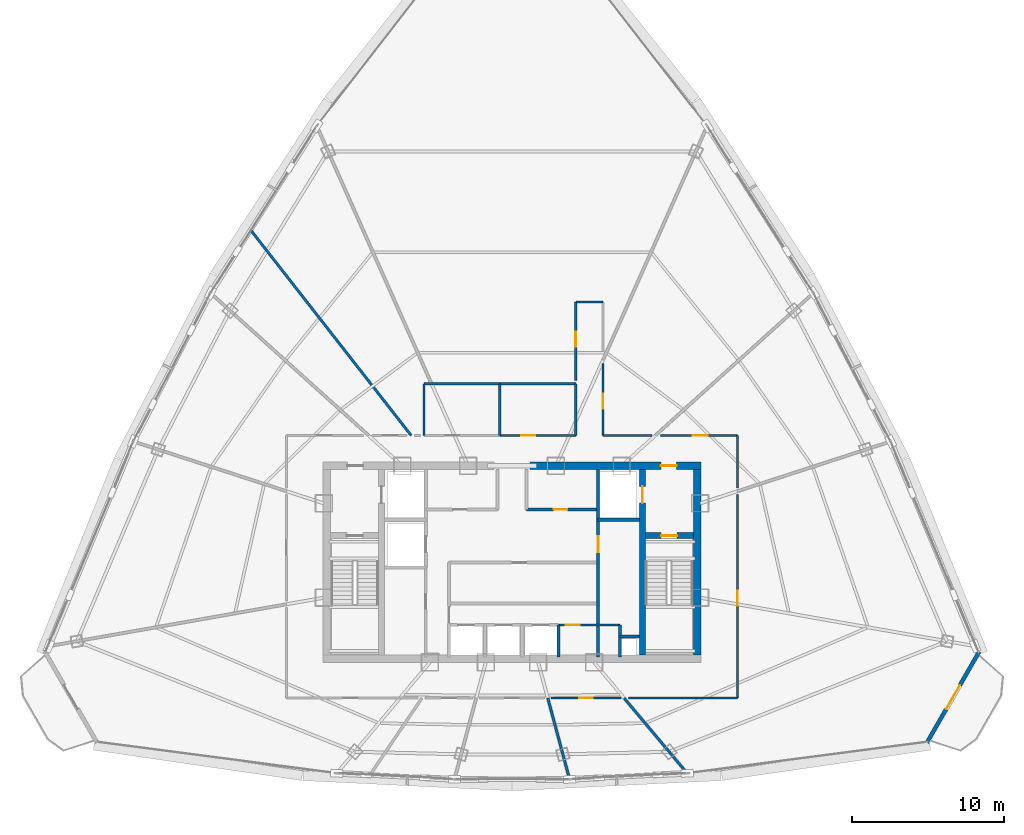
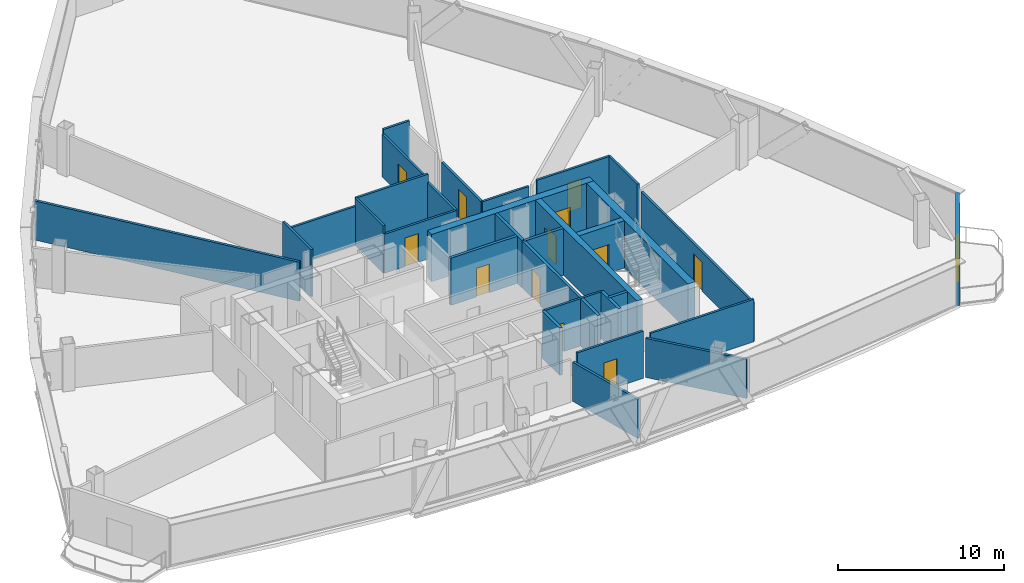
# One storey, part 31 of 35: 31 walls, 13 doors, 13 openings.
"""IFC4 building model written with IfcOpenShell, lengths in metres."""

from ifc_helpers import new_model, si_unit, direction, frame, frame_2d, origin, origin_with_axes, place, context, subcontext, project, spatial, rectangle, extrude, source, transform, mapped, material, layer, layer_set, type_object, element, fill, save


model = new_model("IFC4")

# Units and contexts
model_context = context("Model", 3, precision=1e-05, world=origin(), true_north=direction((0.0, 1.0)))
body_context = subcontext(model_context, "Body", "Model", "MODEL_VIEW")
ifc_project = project(units=[si_unit("LENGTHUNIT", "METRE"), si_unit("AREAUNIT", "SQUARE_METRE"), si_unit("VOLUMEUNIT", "CUBIC_METRE"), si_unit("PLANEANGLEUNIT", "RADIAN"), si_unit("MASSUNIT", "GRAM", prefix="KILO"), si_unit("THERMODYNAMICTEMPERATUREUNIT", "KELVIN"), si_unit("POWERUNIT", "WATT")], contexts=[model_context])

# Site, building, storey
site_placement = place(None, origin())
site = spatial("IfcSite", under=ifc_project, at=site_placement, CompositionType="ELEMENT")
building_placement = place(site_placement, origin())
building = spatial("IfcBuilding", under=site, at=building_placement, Name="Yunzhuo Pagoda Commons", CompositionType="ELEMENT")
storey_placement = place(building_placement, frame((0.0, 0.0, 303.669921875)))
storey = spatial("IfcBuildingStorey", under=building, at=storey_placement, Name="L76", CompositionType="ELEMENT", Elevation=303.669921875)

# Wall, opening, door
ifc_material_1 = material(Name="Precast concrete C40", Category="concrete")
ifc_layer_1 = layer(ifc_material_1, 0.260009765625)
ifc_layer_set_1 = layer_set([ifc_layer_1], Name="Precast concrete C40")
wall_type_1 = type_object("IfcWallType", Name="W-BAL1 Corner Balcony Threshold Wall 260", PredefinedType="STANDARD", material=ifc_layer_set_1)
wall_1_placement = place(storey_placement, frame((75.33935546875, 21.97021484375, 0.0), z_axis=(0.0, 0.0, 1.0), x_axis=(0.49793943781, 0.867211805889, 0.0)))
wall_1 = element("IfcWall", 1, at=wall_1_placement, inside=storey, type_object=wall_type_1, Name="L76 corner balcony wall V2", PredefinedType="STANDARD", context=body_context, shape_type="SweptSolid", body=[
    extrude(rectangle(XDim=6.903076171875, YDim=0.260009765625, at=frame_2d((3.45166015625, 0.0))), origin(), (0.0, 0.0, 1.0), 3.469970703125),
])
opening_1_placement = place(wall_1_placement, frame((2.551513671875, 0.0, 0.0)))
opening_1 = element("IfcOpeningElement", 2, at=opening_1_placement, cuts=wall_1, Name="Opening D-BAL1", PredefinedType="OPENING", context=body_context, shape_type="SweptSolid", body=[
    extrude(rectangle(XDim=1.800048828125, YDim=2.14990234375, at=frame_2d((0.89990234375, 1.074951171875))), frame((0.0, 0.14013671875, 0.0), z_axis=(0.0, -1.0, 0.0), x_axis=(1.0, 0.0, 0.0)), (0.0, 0.0, 1.0), 0.280029296875),
])
ifc_material_2 = material(Name="Anodized aluminium frame and tempered glazed leaf", Category="aluminium")
door_type_1 = type_object("IfcDoorType", Name="D-BAL1 Corner Balcony Sliding Glazed Door 1800x2150", OperationType="DOUBLE_DOOR_SLIDING", PredefinedType="DOOR", material=ifc_material_2)
shared_shape_1 = source(origin(), body_context, "Body", "SweptSolid", [
    extrude(rectangle(XDim=1.800048828125, YDim=2.14990234375, at=frame_2d((0.89990234375, 1.074951171875))), frame((0.0, 0.02490234375, 0.0), z_axis=(0.0, -1.0, 0.0), x_axis=(1.0, 0.0, 0.0)), (0.0, 0.0, 1.0), 0.050048828125),
])
door_1_placement = place(opening_1_placement, origin_with_axes())
door_1 = element("IfcDoor", 3, at=door_1_placement, inside=storey, type_object=door_type_1, Name="L76 corner balcony sliding door V2", OperationType="DOUBLE_DOOR_SLIDING", OverallHeight=2.14990234375, OverallWidth=1.800048828125, PredefinedType="DOOR", context=body_context, shape_type="MappedRepresentation", body=[
    mapped(shared_shape_1, transform((0.0, 0.0, 0.0), scale=1.0)),
])
fill(opening_1, door_1)

ifc_material_3 = material(Name="Concrete C50", Category="concrete")
ifc_layer_2 = layer(ifc_material_3, 0.5)
ifc_layer_set_2 = layer_set([ifc_layer_2], Name="Concrete C50")
wall_type_2 = type_object("IfcWallType", Name="W-C03 Upper Core Shear Wall 500", PredefinedType="SHEAR", material=ifc_layer_set_2)
wall_2_placement = place(storey_placement, frame((49.199951171875, 40.199951171875, 0.0), z_axis=(0.0, 0.0, 1.0), x_axis=(1.0, 0.0, 0.0)))
wall_2 = element("IfcWall", 4, at=wall_2_placement, inside=storey, type_object=wall_type_2, Name="L76 core shear wall NE", PredefinedType="SHEAR", context=body_context, shape_type="SweptSolid", body=[
    extrude(rectangle(XDim=11.25, YDim=0.5, at=frame_2d((5.625, 0.0))), origin(), (0.0, 0.0, 1.0), 3.469970703125),
])
opening_2_placement = place(wall_2_placement, frame((8.60009765625, 0.0, 0.0)))
opening_2 = element("IfcOpeningElement", 5, at=opening_2_placement, cuts=wall_2, Name="Opening D-02", PredefinedType="OPENING", context=body_context, shape_type="SweptSolid", body=[
    extrude(rectangle(XDim=1.050048828125, YDim=2.10009765625, at=frame_2d((0.52490234375, 1.050048828125))), frame((0.0, 0.260009765625, 0.0), z_axis=(0.0, -1.0, 0.0), x_axis=(1.0, 0.0, 0.0)), (0.0, 0.0, 1.0), 0.52001953125),
])
ifc_material_4 = material(Name="Galvanized fire-resisting metal leaf")
door_type_2 = type_object("IfcDoorType", Name="D-02 Firefighting Lobby & Refuge Fire Door 1050x2100", OperationType="NOTDEFINED", PredefinedType="DOOR", material=ifc_material_4)
shared_shape_2 = source(origin(), body_context, "Body", "SweptSolid", [
    extrude(rectangle(XDim=1.050048828125, YDim=2.10009765625, at=frame_2d((0.52490234375, 1.050048828125))), frame((0.0, 0.02490234375, 0.0), z_axis=(0.0, -1.0, 0.0), x_axis=(1.0, 0.0, 0.0)), (0.0, 0.0, 1.0), 0.050048828125),
])
door_2_placement = place(opening_2_placement, frame((1.050048828125, 0.0, 0.0), z_axis=(0.0, 0.0, 1.0), x_axis=(-1.0, 0.0, 0.0)))
door_2 = element("IfcDoor", 6, at=door_2_placement, inside=storey, type_object=door_type_2, Name="L76 Firefighting Lobby 2 fire door", OperationType="SINGLE_SWING_RIGHT", OverallHeight=2.10009765625, OverallWidth=1.050048828125, PredefinedType="DOOR", context=body_context, shape_type="MappedRepresentation", body=[
    mapped(shared_shape_2, transform((0.0, 0.0, 0.0), scale=1.0)),
])
fill(opening_2, door_2)

# Wall
wall_3_placement = place(storey_placement, frame((60.199951171875, 27.75, 0.0), z_axis=(0.0, 0.0, 1.0), x_axis=(0.0, 1.0, 0.0)))
element("IfcWall", 7, at=wall_3_placement, inside=storey, type_object=wall_type_2, Name="L76 core shear wall E", PredefinedType="SHEAR", context=body_context, shape_type="SweptSolid", body=[
    extrude(rectangle(XDim=12.199951171875, YDim=0.5, at=frame_2d((6.10009765625, 0.0))), origin(), (0.0, 0.0, 1.0), 3.469970703125),
])

# Wall, opening, door
ifc_material_5 = material(Name="Gypsum plasterboard on acoustic stud")
ifc_layer_3 = layer(ifc_material_5, 0.14990234375)
ifc_layer_set_3 = layer_set([ifc_layer_3], Name="Gypsum plasterboard on acoustic stud")
wall_type_3 = type_object("IfcWallType", Name="W-COR3 High-Zone Rated Corridor Wall 150", PredefinedType="PARTITIONING", material=ifc_layer_set_3)
wall_4_placement = place(storey_placement, frame((51.050048828125, 29.719970703125, 0.0), z_axis=(0.0, 0.0, 1.0), x_axis=(1.0, 0.0, 0.0)))
wall_4 = element("IfcWall", 8, at=wall_4_placement, inside=storey, type_object=wall_type_3, Name="L76 interior wall IW-L76-CSES", PredefinedType="PARTITIONING", context=body_context, shape_type="SweptSolid", body=[
    extrude(rectangle(XDim=4.070068359375, YDim=0.14990234375, at=frame_2d((2.03515625, 0.0))), origin(), (0.0, 0.0, 1.0), 3.469970703125),
])
opening_3_placement = place(wall_4_placement, frame((0.5, 0.0, 0.0)))
opening_3 = element("IfcOpeningElement", 9, at=opening_3_placement, cuts=wall_4, Name="Opening D-03", PredefinedType="OPENING", context=body_context, shape_type="SweptSolid", body=[
    extrude(rectangle(XDim=0.89990234375, YDim=2.10009765625, at=frame_2d((0.449951171875, 1.050048828125))), frame((0.0, 0.0849609375, 0.0), z_axis=(0.0, -1.0, 0.0), x_axis=(1.0, 0.0, 0.0)), (0.0, 0.0, 1.0), 0.169921875),
])
door_type_3 = type_object("IfcDoorType", Name="D-03 Core Service Fire Door 900x2100", OperationType="NOTDEFINED", PredefinedType="DOOR", material=ifc_material_4)
shared_shape_3 = source(origin(), body_context, "Body", "SweptSolid", [
    extrude(rectangle(XDim=0.89990234375, YDim=2.10009765625, at=frame_2d((0.449951171875, 1.050048828125))), frame((0.0, 0.02490234375, 0.0), z_axis=(0.0, -1.0, 0.0), x_axis=(1.0, 0.0, 0.0)), (0.0, 0.0, 1.0), 0.050048828125),
])
door_3_placement = place(opening_3_placement, origin_with_axes())
door_3 = element("IfcDoor", 10, at=door_3_placement, inside=storey, type_object=door_type_3, Name="L76 cleaner store door", OperationType="SINGLE_SWING_LEFT", OverallHeight=2.10009765625, OverallWidth=0.89990234375, PredefinedType="DOOR", context=body_context, shape_type="MappedRepresentation", body=[
    mapped(shared_shape_3, transform((0.0, 0.0, 0.0), scale=1.0)),
])
fill(opening_3, door_3)

# Walls
wall_5_placement = place(storey_placement, frame((42.199951171875, 45.60009765625, 0.0), z_axis=(0.0, 0.0, 1.0), x_axis=(1.0, 0.0, 0.0)))
element("IfcWall", 11, at=wall_5_placement, inside=storey, type_object=wall_type_3, Name="L76 interior wall IW-L76-TFWN", PredefinedType="PARTITIONING", context=body_context, shape_type="SweptSolid", body=[
    extrude(rectangle(XDim=5.0, YDim=0.14990234375, at=frame_2d((2.5, 0.0))), origin(), (0.0, 0.0, 1.0), 2.8701171875),
])
wall_6_placement = place(storey_placement, frame((42.199951171875, 42.199951171875, 0.0), z_axis=(0.0, 0.0, 1.0), x_axis=(0.0, 1.0, 0.0)))
element("IfcWall", 12, at=wall_6_placement, inside=storey, type_object=wall_type_3, Name="L76 interior wall IW-L76-TFWW", PredefinedType="PARTITIONING", context=body_context, shape_type="SweptSolid", body=[
    extrude(rectangle(XDim=3.400146484375, YDim=0.14990234375, at=frame_2d((1.7001953125, 0.0))), origin(), (0.0, 0.0, 1.0), 3.469970703125),
])

# Wall, opening, door
wall_7_placement = place(storey_placement, frame((47.199951171875, 42.199951171875, 0.0), z_axis=(0.0, 0.0, 1.0), x_axis=(1.0, 0.0, 0.0)))
wall_7 = element("IfcWall", 13, at=wall_7_placement, inside=storey, type_object=wall_type_3, Name="L76 interior wall IW-L76-TFES", PredefinedType="PARTITIONING", context=body_context, shape_type="SweptSolid", body=[
    extrude(rectangle(XDim=5.0, YDim=0.14990234375, at=frame_2d((2.5, 0.0))), origin(), (0.0, 0.0, 1.0), 2.8701171875),
])
opening_4_placement = place(wall_7_placement, frame((1.39990234375, 0.0, 0.0)))
opening_4 = element("IfcOpeningElement", 14, at=opening_4_placement, cuts=wall_7, Name="Opening D-11", PredefinedType="OPENING", context=body_context, shape_type="SweptSolid", body=[
    extrude(rectangle(XDim=0.93994140625, YDim=2.10009765625, at=frame_2d((0.469970703125, 1.050048828125))), frame((0.0, 0.0849609375, 0.0), z_axis=(0.0, -1.0, 0.0), x_axis=(1.0, 0.0, 0.0)), (0.0, 0.0, 1.0), 0.169921875),
])
door_type_4 = type_object("IfcDoorType", Name="D-11 Accessible Washroom Fire Door 940x2100", OperationType="NOTDEFINED", PredefinedType="DOOR", material=ifc_material_4)
shared_shape_4 = source(origin(), body_context, "Body", "SweptSolid", [
    extrude(rectangle(XDim=0.93994140625, YDim=2.10009765625, at=frame_2d((0.469970703125, 1.050048828125))), frame((0.0, 0.02490234375, 0.0), z_axis=(0.0, -1.0, 0.0), x_axis=(1.0, 0.0, 0.0)), (0.0, 0.0, 1.0), 0.050048828125),
])
door_4_placement = place(opening_4_placement, frame((0.93994140625, 0.0, 0.0), z_axis=(0.0, 0.0, 1.0), x_axis=(-1.0, 0.0, 0.0)))
door_4 = element("IfcDoor", 15, at=door_4_placement, inside=storey, type_object=door_type_4, Name="L76 accessible WC door", OperationType="SINGLE_SWING_RIGHT", OverallHeight=2.10009765625, OverallWidth=0.93994140625, PredefinedType="DOOR", context=body_context, shape_type="MappedRepresentation", body=[
    mapped(shared_shape_4, transform((0.0, 0.0, 0.0), scale=1.0)),
])
fill(opening_4, door_4)

# Walls
wall_8_placement = place(storey_placement, frame((47.199951171875, 45.60009765625, 0.0), z_axis=(0.0, 0.0, 1.0), x_axis=(1.0, 0.0, 0.0)))
element("IfcWall", 16, at=wall_8_placement, inside=storey, type_object=wall_type_3, Name="L76 interior wall IW-L76-TFEN", PredefinedType="PARTITIONING", context=body_context, shape_type="SweptSolid", body=[
    extrude(rectangle(XDim=5.0, YDim=0.14990234375, at=frame_2d((2.5, 0.0))), origin(), (0.0, 0.0, 1.0), 3.469970703125),
])
wall_9_placement = place(storey_placement, frame((47.199951171875, 42.199951171875, 0.0), z_axis=(0.0, 0.0, 1.0), x_axis=(0.0, 1.0, 0.0)))
element("IfcWall", 17, at=wall_9_placement, inside=storey, type_object=wall_type_3, Name="L76 interior wall IW-L76-TFEW", PredefinedType="PARTITIONING", context=body_context, shape_type="SweptSolid", body=[
    extrude(rectangle(XDim=3.400146484375, YDim=0.14990234375, at=frame_2d((1.7001953125, 0.0))), origin(), (0.0, 0.0, 1.0), 3.469970703125),
])
wall_10_placement = place(storey_placement, frame((52.199951171875, 42.199951171875, 0.0), z_axis=(0.0, 0.0, 1.0), x_axis=(0.0, 1.0, 0.0)))
element("IfcWall", 18, at=wall_10_placement, inside=storey, type_object=wall_type_3, Name="L76 interior wall IW-L76-TFEE", PredefinedType="PARTITIONING", context=body_context, shape_type="SweptSolid", body=[
    extrude(rectangle(XDim=3.400146484375, YDim=0.14990234375, at=frame_2d((1.7001953125, 0.0))), origin(), (0.0, 0.0, 1.0), 2.8701171875),
])

# Wall, opening, door
wall_11_placement = place(storey_placement, frame((52.199951171875, 45.820068359375, 0.0), z_axis=(0.0, 0.0, 1.0), x_axis=(0.0, 1.0, 0.0)))
wall_11 = element("IfcWall", 19, at=wall_11_placement, inside=storey, type_object=wall_type_3, Name="L76 interior wall IW-L76-CWL07", PredefinedType="PARTITIONING", context=body_context, shape_type="SweptSolid", body=[
    extrude(rectangle(XDim=5.179931640625, YDim=0.14990234375, at=frame_2d((2.58984375, 0.0))), origin(), (0.0, 0.0, 1.0), 3.1201171875),
])
opening_5_placement = place(wall_11_placement, frame((2.235107421875, 0.0, 0.0)))
opening_5 = element("IfcOpeningElement", 20, at=opening_5_placement, cuts=wall_11, Name="Opening D-08", PredefinedType="OPENING", context=body_context, shape_type="SweptSolid", body=[
    extrude(rectangle(XDim=0.97998046875, YDim=2.1201171875, at=frame_2d((0.489990234375, 1.06005859375))), frame((0.0, 0.0849609375, 0.0), z_axis=(0.0, -1.0, 0.0), x_axis=(1.0, 0.0, 0.0)), (0.0, 0.0, 1.0), 0.169921875),
])
door_type_5 = type_object("IfcDoorType", Name="D-08 High-Zone Suite Entrance Fire Door 980x2120", OperationType="NOTDEFINED", PredefinedType="DOOR", material=ifc_material_4)
shared_shape_5 = source(origin(), body_context, "Body", "SweptSolid", [
    extrude(rectangle(XDim=0.97998046875, YDim=2.1201171875, at=frame_2d((0.489990234375, 1.06005859375))), frame((0.0, 0.02490234375, 0.0), z_axis=(0.0, -1.0, 0.0), x_axis=(1.0, 0.0, 0.0)), (0.0, 0.0, 1.0), 0.050048828125),
])
door_5_placement = place(opening_5_placement, origin_with_axes())
door_5 = element("IfcDoor", 21, at=door_5_placement, inside=storey, type_object=door_type_5, Name="L76 unit 03 entrance door", OperationType="SINGLE_SWING_LEFT", OverallHeight=2.1201171875, OverallWidth=0.97998046875, PredefinedType="DOOR", context=body_context, shape_type="MappedRepresentation", body=[
    mapped(shared_shape_5, transform((0.0, 0.0, 0.0), scale=1.0)),
])
fill(opening_5, door_5)

# Wall
wall_12_placement = place(storey_placement, frame((52.199951171875, 51.0, 0.0), z_axis=(0.0, 0.0, 1.0), x_axis=(1.0, 0.0, 0.0)))
element("IfcWall", 22, at=wall_12_placement, inside=storey, type_object=wall_type_3, Name="L76 interior wall IW-L76-CWL08", PredefinedType="PARTITIONING", context=body_context, shape_type="SweptSolid", body=[
    extrude(rectangle(XDim=1.800048828125, YDim=0.14990234375, at=frame_2d((0.89990234375, 0.0))), origin(), (0.0, 0.0, 1.0), 3.469970703125),
])

# Wall, opening, door
wall_13_placement = place(storey_placement, frame((54.0, 46.956298828125, 0.0), z_axis=(0.0, 0.0, 1.0), x_axis=(0.0, -1.0, 0.0)))
wall_13 = element("IfcWall", 23, at=wall_13_placement, inside=storey, type_object=wall_type_3, Name="L76 interior wall IW-L76-CWL10", PredefinedType="PARTITIONING", context=body_context, shape_type="SweptSolid", body=[
    extrude(rectangle(XDim=4.75634765625, YDim=0.14990234375, at=frame_2d((2.378173828125, 0.0))), origin(), (0.0, 0.0, 1.0), 2.8701171875),
])
opening_6_placement = place(wall_13_placement, frame((2.023193359375, 0.0, 0.0)))
opening_6 = element("IfcOpeningElement", 24, at=opening_6_placement, cuts=wall_13, Name="Opening D-08", PredefinedType="OPENING", context=body_context, shape_type="SweptSolid", body=[
    extrude(rectangle(XDim=0.97998046875, YDim=2.1201171875, at=frame_2d((0.489990234375, 1.06005859375))), frame((0.0, 0.0849609375, 0.0), z_axis=(0.0, -1.0, 0.0), x_axis=(1.0, 0.0, 0.0)), (0.0, 0.0, 1.0), 0.169921875),
])
door_6_placement = place(opening_6_placement, origin_with_axes())
door_6 = element("IfcDoor", 25, at=door_6_placement, inside=storey, type_object=door_type_5, Name="L76 unit 02 entrance door", OperationType="SINGLE_SWING_RIGHT", OverallHeight=2.1201171875, OverallWidth=0.97998046875, PredefinedType="DOOR", context=body_context, shape_type="MappedRepresentation", body=[
    mapped(shared_shape_5, transform((0.0, 0.0, 0.0), scale=1.0)),
])
fill(opening_6, door_6)

# Wall
wall_14_placement = place(storey_placement, frame((54.0, 42.199951171875, 0.0), z_axis=(0.0, 0.0, 1.0), x_axis=(1.0, 0.0, 0.0)))
element("IfcWall", 26, at=wall_14_placement, inside=storey, type_object=wall_type_3, Name="L76 interior wall IW-L76-CWL11", PredefinedType="PARTITIONING", context=body_context, shape_type="SweptSolid", body=[
    extrude(rectangle(XDim=3.220458984375, YDim=0.14990234375, at=frame_2d((1.6103515625, 0.0))), origin(), (0.0, 0.0, 1.0), 2.8701171875),
])

# Wall, opening, door
wall_15_placement = place(storey_placement, frame((57.76904296875, 42.199951171875, 0.0), z_axis=(0.0, 0.0, 1.0), x_axis=(1.0, 0.0, 0.0)))
wall_15 = element("IfcWall", 27, at=wall_15_placement, inside=storey, type_object=wall_type_3, Name="L76 interior wall IW-L76-CWL12", PredefinedType="PARTITIONING", context=body_context, shape_type="SweptSolid", body=[
    extrude(rectangle(XDim=5.0810546875, YDim=0.14990234375, at=frame_2d((2.54052734375, 0.0))), origin(), (0.0, 0.0, 1.0), 3.1201171875),
])
opening_7_placement = place(wall_15_placement, frame((2.131103515625, 0.0, 0.0)))
opening_7 = element("IfcOpeningElement", 28, at=opening_7_placement, cuts=wall_15, Name="Opening D-08", PredefinedType="OPENING", context=body_context, shape_type="SweptSolid", body=[
    extrude(rectangle(XDim=0.97998046875, YDim=2.1201171875, at=frame_2d((0.489990234375, 1.06005859375))), frame((0.0, 0.0849609375, 0.0), z_axis=(0.0, -1.0, 0.0), x_axis=(1.0, 0.0, 0.0)), (0.0, 0.0, 1.0), 0.169921875),
])
door_7_placement = place(opening_7_placement, origin_with_axes())
door_7 = element("IfcDoor", 29, at=door_7_placement, inside=storey, type_object=door_type_5, Name="L76 unit 01 entrance door", OperationType="SINGLE_SWING_LEFT", OverallHeight=2.1201171875, OverallWidth=0.97998046875, PredefinedType="DOOR", context=body_context, shape_type="MappedRepresentation", body=[
    mapped(shared_shape_5, transform((0.0, 0.0, 0.0), scale=1.0)),
])
fill(opening_7, door_7)

# Wall
wall_16_placement = place(storey_placement, frame((62.85009765625, 42.199951171875, 0.0), z_axis=(0.0, 0.0, 1.0), x_axis=(0.0, -1.0, 0.0)))
element("IfcWall", 30, at=wall_16_placement, inside=storey, type_object=wall_type_3, Name="L76 interior wall IW-L76-CWL13", PredefinedType="PARTITIONING", context=body_context, shape_type="SweptSolid", body=[
    extrude(rectangle(XDim=3.443603515625, YDim=0.14990234375, at=frame_2d((1.7216796875, 0.0))), origin(), (0.0, 0.0, 1.0), 3.1201171875),
])

# Wall, opening, door
wall_17_placement = place(storey_placement, frame((62.85009765625, 38.305419921875, 0.0), z_axis=(0.0, 0.0, 1.0), x_axis=(0.0, -1.0, 0.0)))
wall_17 = element("IfcWall", 31, at=wall_17_placement, inside=storey, type_object=wall_type_3, Name="L76 interior wall IW-L76-CWL14", PredefinedType="PARTITIONING", context=body_context, shape_type="SweptSolid", body=[
    extrude(rectangle(XDim=13.405517578125, YDim=0.14990234375, at=frame_2d((6.70263671875, 0.0))), origin(), (0.0, 0.0, 1.0), 2.8701171875),
])
opening_8_placement = place(wall_17_placement, frame((6.347900390625, 0.0, 0.0)))
opening_8 = element("IfcOpeningElement", 32, at=opening_8_placement, cuts=wall_17, Name="Opening D-08", PredefinedType="OPENING", context=body_context, shape_type="SweptSolid", body=[
    extrude(rectangle(XDim=0.97998046875, YDim=2.1201171875, at=frame_2d((0.489990234375, 1.06005859375))), frame((0.0, 0.0849609375, 0.0), z_axis=(0.0, -1.0, 0.0), x_axis=(1.0, 0.0, 0.0)), (0.0, 0.0, 1.0), 0.169921875),
])
door_8_placement = place(opening_8_placement, origin_with_axes())
door_8 = element("IfcDoor", 33, at=door_8_placement, inside=storey, type_object=door_type_5, Name="L76 Resident Co-Living Commons Hall door", OperationType="SINGLE_SWING_RIGHT", OverallHeight=2.1201171875, OverallWidth=0.97998046875, PredefinedType="DOOR", context=body_context, shape_type="MappedRepresentation", body=[
    mapped(shared_shape_5, transform((0.0, 0.0, 0.0), scale=1.0)),
])
fill(opening_8, door_8)

# Wall
wall_18_placement = place(storey_placement, frame((62.85009765625, 24.89990234375, 0.0), z_axis=(0.0, 0.0, 1.0), x_axis=(-1.0, 0.0, 0.0)))
element("IfcWall", 34, at=wall_18_placement, inside=storey, type_object=wall_type_3, Name="L76 interior wall IW-L76-CWL15", PredefinedType="PARTITIONING", context=body_context, shape_type="SweptSolid", body=[
    extrude(rectangle(XDim=7.1787109375, YDim=0.14990234375, at=frame_2d((3.58935546875, 0.0))), origin(), (0.0, 0.0, 1.0), 3.1201171875),
])

# Wall, opening, door
wall_19_placement = place(storey_placement, frame((55.164306640625, 24.89990234375, 0.0), z_axis=(0.0, 0.0, 1.0), x_axis=(-1.0, 0.0, 0.0)))
wall_19 = element("IfcWall", 35, at=wall_19_placement, inside=storey, type_object=wall_type_3, Name="L76 interior wall IW-L76-CWL16", PredefinedType="PARTITIONING", context=body_context, shape_type="SweptSolid", body=[
    extrude(rectangle(XDim=4.57861328125, YDim=0.14990234375, at=frame_2d((2.289306640625, 0.0))), origin(), (0.0, 0.0, 1.0), 3.469970703125),
])
opening_9_placement = place(wall_19_placement, frame((1.833251953125, 0.0, 0.0)))
opening_9 = element("IfcOpeningElement", 36, at=opening_9_placement, cuts=wall_19, Name="Opening D-12", PredefinedType="OPENING", context=body_context, shape_type="SweptSolid", body=[
    extrude(rectangle(XDim=0.89990234375, YDim=2.080078125, at=frame_2d((0.449951171875, 1.0400390625))), frame((0.0, 0.0849609375, 0.0), z_axis=(0.0, -1.0, 0.0), x_axis=(1.0, 0.0, 0.0)), (0.0, 0.0, 1.0), 0.169921875),
])
ifc_material_6 = material(Name="Powder-coated aluminium and timber acoustic leaf", Category="wood")
door_type_6 = type_object("IfcDoorType", Name="D-12 Quiet Study Interior Door 900x2080", OperationType="NOTDEFINED", PredefinedType="DOOR", material=ifc_material_6)
shared_shape_6 = source(origin(), body_context, "Body", "SweptSolid", [
    extrude(rectangle(XDim=0.89990234375, YDim=2.080078125, at=frame_2d((0.449951171875, 1.0400390625))), frame((0.0, 0.02490234375, 0.0), z_axis=(0.0, -1.0, 0.0), x_axis=(1.0, 0.0, 0.0)), (0.0, 0.0, 1.0), 0.050048828125),
])
door_9_placement = place(opening_9_placement, origin_with_axes())
door_9 = element("IfcDoor", 37, at=door_9_placement, inside=storey, type_object=door_type_6, Name="L76 study lounge 11 door", OperationType="SINGLE_SWING_LEFT", OverallHeight=2.080078125, OverallWidth=0.89990234375, PredefinedType="DOOR", context=body_context, shape_type="MappedRepresentation", body=[
    mapped(shared_shape_6, transform((0.0, 0.0, 0.0), scale=1.0)),
])
fill(opening_9, door_9)

# Walls
ifc_layer_4 = layer(ifc_material_5, 0.169921875)
ifc_layer_set_4 = layer_set([ifc_layer_4], Name="Gypsum plasterboard on acoustic stud")
wall_type_4 = type_object("IfcWallType", Name="W-PRT4 High-Zone Demising Wall 170", PredefinedType="PARTITIONING", material=ifc_layer_set_4)
wall_20_placement = place(storey_placement, frame((41.359130859375, 42.199951171875, 0.0), z_axis=(0.0, 0.0, 1.0), x_axis=(-0.615656448173, 0.788014681223, 0.0)))
element("IfcWall", 38, at=wall_20_placement, inside=storey, type_object=wall_type_4, Name="L76 interior wall IW-L76-RAD05", PredefinedType="PARTITIONING", context=body_context, shape_type="SweptSolid", body=[
    extrude(rectangle(XDim=17.1845703125, YDim=0.169921875, at=frame_2d((8.59228515625, 0.0))), origin(), (0.0, 0.0, 1.0), 2.8701171875),
])
wall_21_placement = place(storey_placement, frame((50.35791015625, 24.89990234375, 0.0), z_axis=(0.0, 0.0, 1.0), x_axis=(0.258813875707, -0.96592721141, 0.0)))
element("IfcWall", 39, at=wall_21_placement, inside=storey, type_object=wall_type_4, Name="L76 interior wall IW-L76-RAD11", PredefinedType="PARTITIONING", context=body_context, shape_type="SweptSolid", body=[
    extrude(rectangle(XDim=5.54296875, YDim=0.169921875, at=frame_2d((2.771484375, 0.0))), origin(), (0.0, 0.0, 1.0), 2.8701171875),
])
wall_22_placement = place(storey_placement, frame((55.384033203125, 24.89990234375, 0.0), z_axis=(0.0, 0.0, 1.0), x_axis=(0.642794522615, -0.76603864243, 0.0)))
element("IfcWall", 40, at=wall_22_placement, inside=storey, type_object=wall_type_4, Name="L76 interior wall IW-L76-RAD12", PredefinedType="PARTITIONING", context=body_context, shape_type="SweptSolid", body=[
    extrude(rectangle(XDim=6.4677734375, YDim=0.169921875, at=frame_2d((3.23388671875, 0.0))), origin(), (0.0, 0.0, 1.0), 2.8701171875),
])

# Wall, opening, door
ifc_material_7 = material(Name="Concrete C60", Category="concrete")
ifc_layer_5 = layer(ifc_material_7, 0.39990234375)
ifc_layer_set_5 = layer_set([ifc_layer_5], Name="Concrete C60")
wall_type_5 = type_object("IfcWallType", Name="W-S01 Internal Core Shear Web 400", PredefinedType="SHEAR", material=ifc_layer_set_5)
wall_23_placement = place(storey_placement, frame((56.60009765625, 27.75, 0.0), z_axis=(0.0, 0.0, 1.0), x_axis=(0.0, 1.0, 0.0)))
wall_23 = element("IfcWall", 41, at=wall_23_placement, inside=storey, type_object=wall_type_5, Name="L76 core shear wall WEBE", PredefinedType="SHEAR", context=body_context, shape_type="SweptSolid", body=[
    extrude(rectangle(XDim=12.199951171875, YDim=0.39990234375, at=frame_2d((6.10009765625, 0.0))), origin(), (0.0, 0.0, 1.0), 3.469970703125),
])
opening_10_placement = place(wall_23_placement, frame((10.0, 0.0, 0.0)))
opening_10 = element("IfcOpeningElement", 42, at=opening_10_placement, cuts=wall_23, Name="Opening LD-01", PredefinedType="OPENING", context=body_context, shape_type="SweptSolid", body=[
    extrude(rectangle(XDim=1.10009765625, YDim=2.10009765625, at=frame_2d((0.550048828125, 1.050048828125))), frame((0.0, 0.2099609375, 0.0), z_axis=(0.0, -1.0, 0.0), x_axis=(1.0, 0.0, 0.0)), (0.0, 0.0, 1.0), 0.419921875),
])
door_type_7 = type_object("IfcDoorType", Name="LD-01 Firefighting Lift Landing Door 1100x2100", OperationType="DOUBLE_DOOR_SLIDING", PredefinedType="DOOR", material=ifc_material_4)
shared_shape_7 = source(origin(), body_context, "Body", "SweptSolid", [
    extrude(rectangle(XDim=1.10009765625, YDim=2.10009765625, at=frame_2d((0.550048828125, 1.050048828125))), frame((0.0, 0.02490234375, 0.0), z_axis=(0.0, -1.0, 0.0), x_axis=(1.0, 0.0, 0.0)), (0.0, 0.0, 1.0), 0.050048828125),
])
door_10_placement = place(opening_10_placement, origin_with_axes())
door_10 = element("IfcDoor", 43, at=door_10_placement, inside=storey, type_object=door_type_7, Name="L76 Firefighting lift FL-2 landing door", OperationType="DOUBLE_DOOR_SLIDING", OverallHeight=2.10009765625, OverallWidth=1.10009765625, PredefinedType="DOOR", context=body_context, shape_type="MappedRepresentation", body=[
    mapped(shared_shape_7, transform((0.0, 0.0, 0.0), scale=1.0)),
])
fill(opening_10, door_10)

wall_24_placement = place(storey_placement, frame((56.800048828125, 35.60009765625, 0.0), z_axis=(0.0, 0.0, 1.0), x_axis=(1.0, 0.0, 0.0)))
wall_24 = element("IfcWall", 44, at=wall_24_placement, inside=storey, type_object=wall_type_5, Name="L76 core shear wall STE", PredefinedType="SHEAR", context=body_context, shape_type="SweptSolid", body=[
    extrude(rectangle(XDim=3.14990234375, YDim=0.39990234375, at=frame_2d((1.574951171875, 0.0))), origin(), (0.0, 0.0, 1.0), 3.469970703125),
])
opening_11_placement = place(wall_24_placement, frame((1.02001953125, 0.0, 0.0)))
opening_11 = element("IfcOpeningElement", 45, at=opening_11_placement, cuts=wall_24, Name="Opening D-01", PredefinedType="OPENING", context=body_context, shape_type="SweptSolid", body=[
    extrude(rectangle(XDim=1.050048828125, YDim=2.10009765625, at=frame_2d((0.52490234375, 1.050048828125))), frame((0.0, 0.2099609375, 0.0), z_axis=(0.0, -1.0, 0.0), x_axis=(1.0, 0.0, 0.0)), (0.0, 0.0, 1.0), 0.419921875),
])
door_type_8 = type_object("IfcDoorType", Name="D-01 Smokeproof Stair Fire Door 1050x2100", OperationType="NOTDEFINED", PredefinedType="DOOR", material=ifc_material_4)
door_11_placement = place(opening_11_placement, frame((1.050048828125, 0.0, 0.0), z_axis=(0.0, 0.0, 1.0), x_axis=(-1.0, 0.0, 0.0)))
door_11 = element("IfcDoor", 46, at=door_11_placement, inside=storey, type_object=door_type_8, Name="L76 Stair ST2 fire door", OperationType="SINGLE_SWING_RIGHT", OverallHeight=2.10009765625, OverallWidth=1.050048828125, PredefinedType="DOOR", context=body_context, shape_type="MappedRepresentation", body=[
    mapped(shared_shape_2, transform((0.0, 0.0, 0.0), scale=1.0)),
])
fill(opening_11, door_11)

# Walls
ifc_material_8 = material(Name="Concrete C40", Category="concrete")
ifc_layer_6 = layer(ifc_material_8, 0.199951171875)
ifc_layer_set_6 = layer_set([ifc_layer_6], Name="Concrete C40")
wall_type_6 = type_object("IfcWallType", Name="W-SHF Shaft & Stair Enclosure Wall 200", PredefinedType="SOLIDWALL", material=ifc_layer_set_6)
wall_25_placement = place(storey_placement, frame((53.679931640625, 36.64990234375, 0.0), z_axis=(0.0, 0.0, 1.0), x_axis=(0.0, 1.0, 0.0)))
element("IfcWall", 47, at=wall_25_placement, inside=storey, type_object=wall_type_6, Name="L76 interior wall IW-L76-FL2W", PredefinedType="SOLIDWALL", context=body_context, shape_type="SweptSolid", body=[
    extrude(rectangle(XDim=3.300048828125, YDim=0.199951171875, at=frame_2d((1.64990234375, 0.0))), origin(), (0.0, 0.0, 1.0), 3.469970703125),
])
wall_26_placement = place(storey_placement, frame((53.679931640625, 36.64990234375, 0.0), z_axis=(0.0, 0.0, 1.0), x_axis=(1.0, 0.0, 0.0)))
element("IfcWall", 48, at=wall_26_placement, inside=storey, type_object=wall_type_6, Name="L76 interior wall IW-L76-FL2S", PredefinedType="SOLIDWALL", context=body_context, shape_type="SweptSolid", body=[
    extrude(rectangle(XDim=2.719970703125, YDim=0.199951171875, at=frame_2d((1.35986328125, 0.0))), origin(), (0.0, 0.0, 1.0), 3.469970703125),
])

# Wall, opening, door
wall_27_placement = place(storey_placement, frame((48.949951171875, 37.320068359375, 0.0), z_axis=(0.0, 0.0, 1.0), x_axis=(1.0, 0.0, 0.0)))
wall_27 = element("IfcWall", 49, at=wall_27_placement, inside=storey, type_object=wall_type_6, Name="L76 interior wall IW-L76-LBNE", PredefinedType="SOLIDWALL", context=body_context, shape_type="SweptSolid", body=[
    extrude(rectangle(XDim=4.72998046875, YDim=0.199951171875, at=frame_2d((2.364990234375, 0.0))), origin(), (0.0, 0.0, 1.0), 3.469970703125),
])
opening_12_placement = place(wall_27_placement, frame((1.800048828125, 0.0, 0.0)))
opening_12 = element("IfcOpeningElement", 50, at=opening_12_placement, cuts=wall_27, Name="Opening D-03", PredefinedType="OPENING", context=body_context, shape_type="SweptSolid", body=[
    extrude(rectangle(XDim=0.89990234375, YDim=2.10009765625, at=frame_2d((0.449951171875, 1.050048828125))), frame((0.0, 0.10986328125, 0.0), z_axis=(0.0, -1.0, 0.0), x_axis=(1.0, 0.0, 0.0)), (0.0, 0.0, 1.0), 0.219970703125),
])
door_12_placement = place(opening_12_placement, frame((0.89990234375, 0.0, 0.0), z_axis=(0.0, 0.0, 1.0), x_axis=(-1.0, 0.0, 0.0)))
door_12 = element("IfcDoor", 51, at=door_12_placement, inside=storey, type_object=door_type_3, Name="L76 core east store door", OperationType="SINGLE_SWING_RIGHT", OverallHeight=2.10009765625, OverallWidth=0.89990234375, PredefinedType="DOOR", context=body_context, shape_type="MappedRepresentation", body=[
    mapped(shared_shape_3, transform((0.0, 0.0, 0.0), scale=1.0)),
])
fill(opening_12, door_12)

wall_28_placement = place(storey_placement, frame((53.679931640625, 27.60009765625, 0.0), z_axis=(0.0, 0.0, 1.0), x_axis=(0.0, 1.0, 0.0)))
wall_28 = element("IfcWall", 52, at=wall_28_placement, inside=storey, type_object=wall_type_6, Name="L76 interior wall IW-L76-PLME", PredefinedType="SOLIDWALL", context=body_context, shape_type="SweptSolid", body=[
    extrude(rectangle(XDim=9.0498046875, YDim=0.199951171875, at=frame_2d((4.52490234375, 0.0))), origin(), (0.0, 0.0, 1.0), 3.469970703125),
])
opening_13_placement = place(wall_28_placement, frame((6.89990234375, 0.0, 0.0)))
opening_13 = element("IfcOpeningElement", 53, at=opening_13_placement, cuts=wall_28, Name="Opening D-02", PredefinedType="OPENING", context=body_context, shape_type="SweptSolid", body=[
    extrude(rectangle(XDim=1.050048828125, YDim=2.10009765625, at=frame_2d((0.52490234375, 1.050048828125))), frame((0.0, 0.10986328125, 0.0), z_axis=(0.0, -1.0, 0.0), x_axis=(1.0, 0.0, 0.0)), (0.0, 0.0, 1.0), 0.219970703125),
])
door_13_placement = place(opening_13_placement, origin_with_axes())
door_13 = element("IfcDoor", 54, at=door_13_placement, inside=storey, type_object=door_type_2, Name="L76 High-bank lift hall door", OperationType="SINGLE_SWING_RIGHT", OverallHeight=2.10009765625, OverallWidth=1.050048828125, PredefinedType="DOOR", context=body_context, shape_type="MappedRepresentation", body=[
    mapped(shared_shape_2, transform((0.0, 0.0, 0.0), scale=1.0)),
])
fill(opening_13, door_13)

# Walls
for number, where, z_axis, x_axis, name in (
    (55, (51.050048828125, 27.60009765625, 0.0), (0.0, 0.0, 1.0), (0.0, 1.0, 0.0), "L76 interior wall IW-L76-PLHE"),
    (56, (55.1201171875, 27.60009765625, 0.0), (0.0, 0.0, 1.0), (0.0, 1.0, 0.0), "L76 interior wall IW-L76-RSHFW"),
):
    element("IfcWall", number, at=place(storey_placement, frame(where, z_axis=z_axis, x_axis=x_axis)), inside=storey, type_object=wall_type_6, Name=name, PredefinedType="SOLIDWALL", context=body_context, shape_type="SweptSolid", body=[
        extrude(rectangle(XDim=2.119873046875, YDim=0.199951171875, at=frame_2d((1.06005859375, 0.0))), origin(), (0.0, 0.0, 1.0), 3.469970703125),
    ])
wall_29_placement = place(storey_placement, frame((55.1201171875, 28.949951171875, 0.0), z_axis=(0.0, 0.0, 1.0), x_axis=(1.0, 0.0, 0.0)))
element("IfcWall", 57, at=wall_29_placement, inside=storey, type_object=wall_type_6, Name="L76 interior wall IW-L76-RSHFN", PredefinedType="SOLIDWALL", context=body_context, shape_type="SweptSolid", body=[
    extrude(rectangle(XDim=1.27978515625, YDim=0.199951171875, at=frame_2d((0.639892578125, 0.0))), origin(), (0.0, 0.0, 1.0), 3.469970703125),
])

save(model, "model.ifc")
